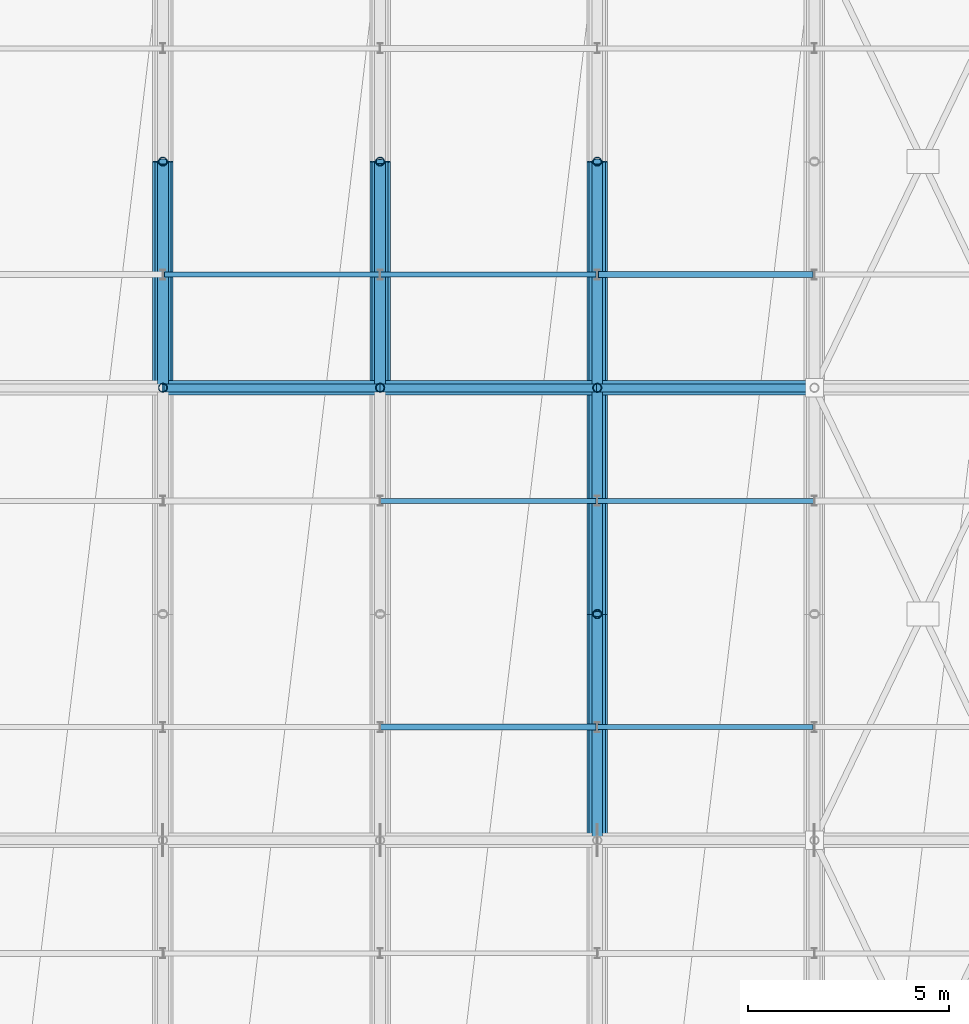
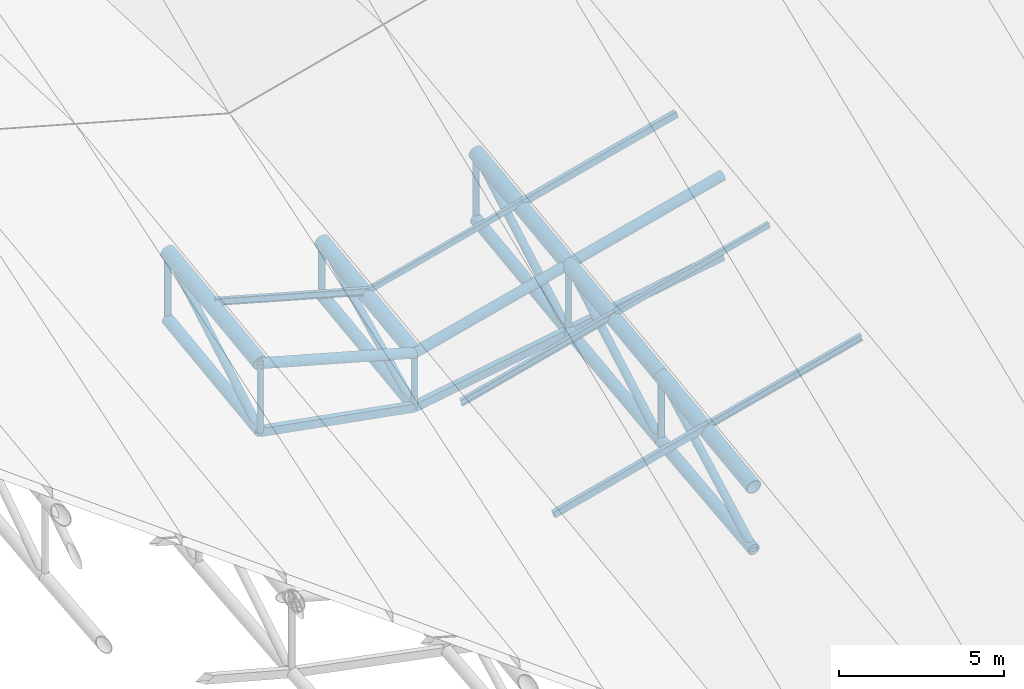
# One storey, part 18 of 109: 25 members, 10 beams.
"""IFC4 building model written with IfcOpenShell, lengths in metres."""

from ifc_helpers import new_model, si_unit, direction, frame, origin, origin_2d, place, context, subcontext, project, spatial, hollow_rectangle, hollow_circle, i_section, extrude, material, material_profile, profile_set, type_object, element, save


model = new_model("IFC4")

# Units and contexts
model_context = context("Model", 3, precision=1e-05, world=origin(), true_north=direction((0.0, 1.0)))
body_context = subcontext(model_context, "Body", "Model", "MODEL_VIEW")
ifc_project = project(units=[si_unit("LENGTHUNIT", "METRE"), si_unit("AREAUNIT", "SQUARE_METRE"), si_unit("VOLUMEUNIT", "CUBIC_METRE"), si_unit("PLANEANGLEUNIT", "RADIAN"), si_unit("MASSUNIT", "GRAM", prefix="KILO")], contexts=[model_context])

# Site, building, storey
site_placement = place(None, origin())
site = spatial("IfcSite", under=ifc_project, at=site_placement, CompositionType="ELEMENT")
building_placement = place(site_placement, origin())
building = spatial("IfcBuilding", under=site, at=building_placement, Name="Suirenkawa Promenade Aquatics Centre", CompositionType="ELEMENT")
storey_placement = place(building_placement, frame((0.0, 0.0, 22.800048828125)))
storey = spatial("IfcBuildingStorey", under=building, at=storey_placement, Name="ROOF", CompositionType="ELEMENT", Elevation=22.800048828125)

# Beams
ifc_material = material(Name="Steel IS 2062 E350 (Grade 350)", Category="steel")
ifc_material_profile_1 = material_profile(ifc_material, hollow_circle(Radius=0.202880859375, WallThickness=0.01806640625, at=origin_2d()), Name="CHS 406x18", Category="steel")
ifc_profile_set_1 = profile_set([ifc_material_profile_1], Name="Steel IS 2062 E350 (Grade 350)")
beam_type_1 = type_object("IfcBeamType", Name="BT-BC-CHS406", PredefinedType="BEAM", material=ifc_profile_set_1)
beam_1_placement = place(storey_placement, frame((84.60009765625, 84.14990234375, -11.6650390625), z_axis=(0.0, 0.991662218835, 0.128864439375), x_axis=(-1.0, 0.0, 0.0)))
element("IfcBeam", 1, at=beam_1_placement, inside=storey, type_object=beam_type_1, Name="ROOF TRUSS V1 bottom chord BC-01 BM-2016", PredefinedType="BEAM", context=body_context, shape_type="SweptSolid", body=[
    extrude(hollow_circle(Radius=0.202880859375, WallThickness=0.01806640625, at=origin_2d()), origin(), (0.0, 0.0, 1.0), 5.67236328125),
])
beam_2_placement = place(storey_placement, frame((90.0, 84.14990234375, -12.64306640625), z_axis=(0.0, 0.991706164536, 0.128525807609), x_axis=(-1.0, 0.0, 0.0)))
element("IfcBeam", 2, at=beam_2_placement, inside=storey, type_object=beam_type_1, Name="ROOF TRUSS V1 bottom chord BC-01 BM-2044", PredefinedType="BEAM", context=body_context, shape_type="SweptSolid", body=[
    extrude(hollow_circle(Radius=0.202880859375, WallThickness=0.01806640625, at=origin_2d()), origin(), (0.0, 0.0, 1.0), 5.672119140625),
])
beam_3_placement = place(storey_placement, frame((95.39990234375, 72.89990234375, -13.01611328125), z_axis=(0.0, 0.994076354112, 0.108683955556), x_axis=(-1.0, 0.0, 0.0)))
element("IfcBeam", 3, at=beam_3_placement, inside=storey, type_object=beam_type_1, Name="ROOF TRUSS V1 bottom chord BC-01 BM-2068", PredefinedType="BEAM", context=body_context, shape_type="SweptSolid", body=[
    extrude(hollow_circle(Radius=0.202880859375, WallThickness=0.01806640625, at=origin_2d()), origin(), (0.0, 0.0, 1.0), 5.658447265625),
])
beam_4_placement = place(storey_placement, frame((95.39990234375, 78.52490234375, -12.401123046875), z_axis=(0.0, 0.992957163719, 0.11847392548), x_axis=(-1.0, 0.0, 0.0)))
element("IfcBeam", 4, at=beam_4_placement, inside=storey, type_object=beam_type_1, Name="ROOF TRUSS V1 bottom chord BC-01 BM-2070", PredefinedType="BEAM", context=body_context, shape_type="SweptSolid", body=[
    extrude(hollow_circle(Radius=0.202880859375, WallThickness=0.01806640625, at=origin_2d()), origin(), (0.0, 0.0, 1.0), 5.664794921875),
])
beam_5_placement = place(storey_placement, frame((95.39990234375, 84.14990234375, -11.72998046875), z_axis=(0.0, 0.991662218835, 0.128864439375), x_axis=(-1.0, 0.0, 0.0)))
element("IfcBeam", 5, at=beam_5_placement, inside=storey, type_object=beam_type_1, Name="ROOF TRUSS V1 bottom chord BC-01 BM-2072", PredefinedType="BEAM", context=body_context, shape_type="SweptSolid", body=[
    extrude(hollow_circle(Radius=0.202880859375, WallThickness=0.01806640625, at=origin_2d()), origin(), (0.0, 0.0, 1.0), 5.67236328125),
])
ifc_material_profile_2 = material_profile(ifc_material, hollow_circle(Radius=0.25390625, WallThickness=0.02392578125, at=origin_2d()), Name="CHS 508x24", Category="steel")
ifc_profile_set_2 = profile_set([ifc_material_profile_2], Name="Steel IS 2062 E350 (Grade 350)")
beam_type_2 = type_object("IfcBeamType", Name="BT-TC-CHS508", PredefinedType="BEAM", material=ifc_profile_set_2)
for number, where, z_axis, x_axis, name in (
    (6, (84.60009765625, 84.14990234375, -9.150146484375), (0.0, 0.991793720609, 0.127848409297), (-1.0, 0.0, 0.0), "ROOF TRUSS V1 top chord TC-02 BM-2015"),
    (7, (90.0, 84.14990234375, -10.650146484375), (0.0, 0.991793720609, 0.127848409297), (-1.0, 0.0, 0.0), "ROOF TRUSS V1 top chord TC-02 BM-2043"),
    (8, (95.39990234375, 72.89990234375, -10.699951171875), (0.0, 0.991799178012, 0.127806065951), (-1.0, 0.0, 0.0), "ROOF TRUSS V1 top chord TC-02 BM-2067"),
    (9, (95.39990234375, 78.52490234375, -9.97509765625), (0.0, 0.991793720609, 0.127848409297), (-1.0, 0.0, 0.0), "ROOF TRUSS V1 top chord TC-02 BM-2069"),
    (10, (95.39990234375, 84.14990234375, -9.25), (0.0, 0.991799178012, 0.127806065951), (-1.0, 0.0, 0.0), "ROOF TRUSS V1 top chord TC-02 BM-2071"),
):
    element("IfcBeam", number, at=place(storey_placement, frame(where, z_axis=z_axis, x_axis=x_axis)), inside=storey, type_object=beam_type_2, Name=name, PredefinedType="BEAM", context=body_context, shape_type="SweptSolid", body=[
        extrude(hollow_circle(Radius=0.25390625, WallThickness=0.02392578125, at=origin_2d()), origin(), (0.0, 0.0, 1.0), 5.671630859375),
    ])

# Members
ifc_material_profile_3 = material_profile(ifc_material, hollow_circle(Radius=0.177978515625, WallThickness=0.01611328125, at=origin_2d()), Name="CHS 356x16", Category="steel")
ifc_profile_set_3 = profile_set([ifc_material_profile_3], Name="Steel IS 2062 E350 (Grade 350)")
member_type_1 = type_object("IfcMemberType", Name="MT-CHORD-CHS356", PredefinedType="CHORD", material=ifc_profile_set_3)
member_1_placement = place(storey_placement, frame((84.60009765625, 84.14990234375, -9.150146484375), z_axis=(0.963516661409, 0.0, -0.267648357342), x_axis=(0.0, 1.0, 0.0)))
element("IfcMember", 11, at=member_1_placement, inside=storey, type_object=member_type_1, Name="ROOF TRUSS V1 tie chord CH-02 MB-0782", PredefinedType="CHORD", context=body_context, shape_type="SweptSolid", body=[
    extrude(hollow_circle(Radius=0.177978515625, WallThickness=0.01611328125, at=origin_2d()), origin(), (0.0, 0.0, 1.0), 5.604248046875),
])
member_2_placement = place(storey_placement, frame((90.0, 84.14990234375, -10.650146484375), z_axis=(0.967989416096, 0.0, 0.250991016426), x_axis=(0.0, 1.0, 0.0)))
element("IfcMember", 12, at=member_2_placement, inside=storey, type_object=member_type_1, Name="ROOF TRUSS V1 tie chord CH-02 MB-0784", PredefinedType="CHORD", context=body_context, shape_type="SweptSolid", body=[
    extrude(hollow_circle(Radius=0.177978515625, WallThickness=0.01611328125, at=origin_2d()), origin(), (0.0, 0.0, 1.0), 5.578369140625),
])
member_3_placement = place(storey_placement, frame((95.39990234375, 84.14990234375, -9.25), z_axis=(0.96800280427, 0.0, 0.250939376992), x_axis=(0.0, 1.0, 0.0)))
element("IfcMember", 13, at=member_3_placement, inside=storey, type_object=member_type_1, Name="ROOF TRUSS V1 tie chord CH-02 MB-0786", PredefinedType="CHORD", context=body_context, shape_type="SweptSolid", body=[
    extrude(hollow_circle(Radius=0.177978515625, WallThickness=0.01611328125, at=origin_2d()), origin(), (0.0, 0.0, 1.0), 5.57861328125),
])
ifc_material_profile_4 = material_profile(ifc_material, hollow_rectangle(XDim=0.199951171875, YDim=0.300048828125, WallThickness=0.011962890625, at=origin_2d()), Name="RHS 300x200x12", Category="steel")
ifc_profile_set_4 = profile_set([ifc_material_profile_4], Name="Steel IS 2062 E350 (Grade 350)")
member_type_2 = type_object("IfcMemberType", Name="MT-CHORD-RHS300", PredefinedType="CHORD", material=ifc_profile_set_4)
member_4_placement = place(storey_placement, frame((84.60009765625, 84.14990234375, -11.6650390625), z_axis=(0.983990692983, 0.0, -0.178219853336), x_axis=(0.0, 1.0, 0.0)))
element("IfcMember", 14, at=member_4_placement, inside=storey, type_object=member_type_2, Name="ROOF TRUSS V1 bottom tie CH-03 MB-0783", PredefinedType="CHORD", context=body_context, shape_type="SweptSolid", body=[
    extrude(hollow_rectangle(XDim=0.199951171875, YDim=0.300048828125, WallThickness=0.011962890625, at=origin_2d()), origin(), (0.0, 0.0, 1.0), 5.48779296875),
])
for number, where, z_axis, x_axis, name in (
    (15, (90.0, 84.14990234375, -12.64306640625), (0.986003217519, 0.0, 0.166726287798), (0.0, 1.0, 0.0), "ROOF TRUSS V1 bottom tie CH-03 MB-0785"),
    (16, (95.39990234375, 84.14990234375, -11.72998046875), (0.986041073491, 0.0, 0.166502256408), (0.0, 1.0, 0.0), "ROOF TRUSS V1 bottom tie CH-03 MB-0787"),
):
    element("IfcMember", number, at=place(storey_placement, frame(where, z_axis=z_axis, x_axis=x_axis)), inside=storey, type_object=member_type_2, Name=name, PredefinedType="CHORD", context=body_context, shape_type="SweptSolid", body=[
        extrude(hollow_rectangle(XDim=0.199951171875, YDim=0.300048828125, WallThickness=0.011962890625, at=origin_2d()), origin(), (0.0, 0.0, 1.0), 5.4765625),
    ])
ifc_material_profile_5 = material_profile(ifc_material, i_section(OverallWidth=0.125, OverallDepth=0.25, WebThickness=0.007080078125, FlangeThickness=0.012939453125, at=origin_2d()), Name="ISMB 250", Category="steel")
ifc_profile_set_5 = profile_set([ifc_material_profile_5], Name="Steel IS 2062 E350 (Grade 350)")
member_type_3 = type_object("IfcMemberType", Name="MT-PURLIN-ISMB250", PredefinedType="PURLIN", material=ifc_profile_set_5)
member_5_placement = place(storey_placement, frame((84.60009765625, 86.962890625, -8.567138671875), z_axis=(0.963516661409, 0.0, -0.267648357342), x_axis=(0.0, 1.0, 0.0)))
element("IfcMember", 17, at=member_5_placement, inside=storey, type_object=member_type_3, Name="ROOF TRUSS Roof purlin PU-04 MB-1953", PredefinedType="PURLIN", context=body_context, shape_type="SweptSolid", body=[
    extrude(i_section(OverallWidth=0.125, OverallDepth=0.25, WebThickness=0.007080078125, FlangeThickness=0.012939453125, at=origin_2d()), origin(), (0.0, 0.0, 1.0), 5.604248046875),
])
for number, where, z_axis, x_axis, name in (
    (18, (90.0, 81.337890625, -10.7919921875), (0.967957510497, 0.0, 0.251114033603), (0.0, 1.0, 0.0), "ROOF TRUSS Roof purlin PU-04 MB-1987"),
    (19, (95.39990234375, 75.712890625, -10.115966796875), (0.96800280427, 0.0, 0.250939376992), (0.0, 1.0, 0.0), "ROOF TRUSS Roof purlin PU-04 MB-2021"),
):
    element("IfcMember", number, at=place(storey_placement, frame(where, z_axis=z_axis, x_axis=x_axis)), inside=storey, type_object=member_type_3, Name=name, PredefinedType="PURLIN", context=body_context, shape_type="SweptSolid", body=[
        extrude(i_section(OverallWidth=0.125, OverallDepth=0.25, WebThickness=0.007080078125, FlangeThickness=0.012939453125, at=origin_2d()), origin(), (0.0, 0.0, 1.0), 5.57861328125),
    ])
ifc_material_profile_6 = material_profile(ifc_material, hollow_rectangle(XDim=0.1201171875, YDim=0.199951171875, WallThickness=0.008056640625, at=origin_2d()), Name="RHS 200x120x8", Category="steel")
ifc_profile_set_6 = profile_set([ifc_material_profile_6], Name="Steel IS 2062 E350 (Grade 350)")
member_type_4 = type_object("IfcMemberType", Name="MT-PURLIN-RHS200", PredefinedType="PURLIN", material=ifc_profile_set_6)
member_6_placement = place(storey_placement, frame((90.0, 86.962890625, -10.041015625), z_axis=(0.968000048288, 0.0, 0.250950007997), x_axis=(0.0, 1.0, 0.0)))
element("IfcMember", 20, at=member_6_placement, inside=storey, type_object=member_type_4, Name="ROOF TRUSS Roof purlin PU-02 MB-1989", PredefinedType="PURLIN", context=body_context, shape_type="SweptSolid", body=[
    extrude(hollow_rectangle(XDim=0.1201171875, YDim=0.199951171875, WallThickness=0.008056640625, at=origin_2d()), origin(), (0.0, 0.0, 1.0), 5.578369140625),
])
member_7_placement = place(storey_placement, frame((95.39990234375, 81.337890625, -9.365966796875), z_axis=(0.96800280427, 0.0, 0.250939376992), x_axis=(0.0, 1.0, 0.0)))
element("IfcMember", 21, at=member_7_placement, inside=storey, type_object=member_type_4, Name="ROOF TRUSS Roof purlin PU-02 MB-2023", PredefinedType="PURLIN", context=body_context, shape_type="SweptSolid", body=[
    extrude(hollow_rectangle(XDim=0.1201171875, YDim=0.199951171875, WallThickness=0.008056640625, at=origin_2d()), origin(), (0.0, 0.0, 1.0), 5.57861328125),
])
ifc_material_profile_7 = material_profile(ifc_material, hollow_rectangle(XDim=0.14990234375, YDim=0.25, WallThickness=0.010009765625, at=origin_2d()), Name="RHS 250x150x10", Category="steel")
ifc_profile_set_7 = profile_set([ifc_material_profile_7], Name="Steel IS 2062 E350 (Grade 350)")
member_type_5 = type_object("IfcMemberType", Name="MT-PURLIN-RHS250", PredefinedType="PURLIN", material=ifc_profile_set_7)
member_8_placement = place(storey_placement, frame((90.0, 75.712890625, -11.51806640625), z_axis=(0.968000048288, 0.0, 0.250950007997), x_axis=(0.0, 1.0, 0.0)))
element("IfcMember", 22, at=member_8_placement, inside=storey, type_object=member_type_5, Name="ROOF TRUSS Roof purlin PU-03 MB-1985", PredefinedType="PURLIN", context=body_context, shape_type="SweptSolid", body=[
    extrude(hollow_rectangle(XDim=0.14990234375, YDim=0.25, WallThickness=0.010009765625, at=origin_2d()), origin(), (0.0, 0.0, 1.0), 5.578369140625),
])
member_9_placement = place(storey_placement, frame((95.39990234375, 86.962890625, -8.66796875), z_axis=(0.96800280427, 0.0, 0.250939376992), x_axis=(0.0, 1.0, 0.0)))
element("IfcMember", 23, at=member_9_placement, inside=storey, type_object=member_type_5, Name="ROOF TRUSS Roof purlin PU-03 MB-2025", PredefinedType="PURLIN", context=body_context, shape_type="SweptSolid", body=[
    extrude(hollow_rectangle(XDim=0.14990234375, YDim=0.25, WallThickness=0.010009765625, at=origin_2d()), origin(), (0.0, 0.0, 1.0), 5.57861328125),
])
ifc_material_profile_8 = material_profile(ifc_material, hollow_circle(Radius=0.110107421875, WallThickness=0.010009765625, at=origin_2d()), Name="CHS 220x10", Category="steel")
ifc_profile_set_8 = profile_set([ifc_material_profile_8], Name="Steel IS 2062 E350 (Grade 350)")
member_type_6 = type_object("IfcMemberType", Name="MT-WEB-CHS220", PredefinedType="BRACE", material=ifc_profile_set_8)
member_10_placement = place(storey_placement, frame((84.60009765625, 84.14990234375, -11.6650390625), z_axis=(0.0, 0.0, 1.0), x_axis=(1.0, 0.0, 0.0)))
element("IfcMember", 24, at=member_10_placement, inside=storey, type_object=member_type_6, Name="ROOF TRUSS V1 web post TD-01 MB-0209", PredefinedType="BRACE", context=body_context, shape_type="SweptSolid", body=[
    extrude(hollow_circle(Radius=0.110107421875, WallThickness=0.010009765625, at=origin_2d()), origin(), (0.0, 0.0, 1.0), 2.514892578125),
])
member_11_placement = place(storey_placement, frame((84.60009765625, 89.77490234375, -10.93408203125), z_axis=(0.0, 0.0, 1.0), x_axis=(1.0, 0.0, 0.0)))
element("IfcMember", 25, at=member_11_placement, inside=storey, type_object=member_type_6, Name="ROOF TRUSS V1 web post TD-01 MB-0210", PredefinedType="BRACE", context=body_context, shape_type="SweptSolid", body=[
    extrude(hollow_circle(Radius=0.110107421875, WallThickness=0.010009765625, at=origin_2d()), origin(), (0.0, 0.0, 1.0), 2.509033203125),
])
member_12_placement = place(storey_placement, frame((90.0, 84.14990234375, -12.64306640625), z_axis=(0.0, 0.0, 1.0), x_axis=(1.0, 0.0, 0.0)))
element("IfcMember", 26, at=member_12_placement, inside=storey, type_object=member_type_6, Name="ROOF TRUSS V1 web post TD-01 MB-0236", PredefinedType="BRACE", context=body_context, shape_type="SweptSolid", body=[
    extrude(hollow_circle(Radius=0.110107421875, WallThickness=0.010009765625, at=origin_2d()), origin(), (0.0, 0.0, 1.0), 1.992919921875),
])
member_13_placement = place(storey_placement, frame((90.0, 89.77490234375, -11.9140625), z_axis=(0.0, 0.0, 1.0), x_axis=(1.0, 0.0, 0.0)))
element("IfcMember", 27, at=member_13_placement, inside=storey, type_object=member_type_6, Name="ROOF TRUSS V1 web post TD-01 MB-0237", PredefinedType="BRACE", context=body_context, shape_type="SweptSolid", body=[
    extrude(hollow_circle(Radius=0.110107421875, WallThickness=0.010009765625, at=origin_2d()), origin(), (0.0, 0.0, 1.0), 1.989013671875),
])
member_14_placement = place(storey_placement, frame((95.39990234375, 78.52490234375, -12.401123046875), z_axis=(0.0, 0.0, 1.0), x_axis=(1.0, 0.0, 0.0)))
element("IfcMember", 28, at=member_14_placement, inside=storey, type_object=member_type_6, Name="ROOF TRUSS V1 web post TD-01 MB-0262", PredefinedType="BRACE", context=body_context, shape_type="SweptSolid", body=[
    extrude(hollow_circle(Radius=0.110107421875, WallThickness=0.010009765625, at=origin_2d()), origin(), (0.0, 0.0, 1.0), 2.426025390625),
])
member_15_placement = place(storey_placement, frame((95.39990234375, 84.14990234375, -11.72998046875), z_axis=(0.0, 0.0, 1.0), x_axis=(1.0, 0.0, 0.0)))
element("IfcMember", 29, at=member_15_placement, inside=storey, type_object=member_type_6, Name="ROOF TRUSS V1 web post TD-01 MB-0263", PredefinedType="BRACE", context=body_context, shape_type="SweptSolid", body=[
    extrude(hollow_circle(Radius=0.110107421875, WallThickness=0.010009765625, at=origin_2d()), origin(), (0.0, 0.0, 1.0), 2.47998046875),
])
member_16_placement = place(storey_placement, frame((95.39990234375, 89.77490234375, -10.9990234375), z_axis=(0.0, 0.0, 1.0), x_axis=(1.0, 0.0, 0.0)))
element("IfcMember", 30, at=member_16_placement, inside=storey, type_object=member_type_6, Name="ROOF TRUSS V1 web post TD-01 MB-0264", PredefinedType="BRACE", context=body_context, shape_type="SweptSolid", body=[
    extrude(hollow_circle(Radius=0.110107421875, WallThickness=0.010009765625, at=origin_2d()), origin(), (0.0, 0.0, 1.0), 2.473876953125),
])
ifc_material_profile_9 = material_profile(ifc_material, hollow_circle(Radius=0.136962890625, WallThickness=0.011962890625, at=origin_2d()), Name="CHS 274x12", Category="steel")
ifc_profile_set_9 = profile_set([ifc_material_profile_9], Name="Steel IS 2062 E350 (Grade 350)")
member_type_7 = type_object("IfcMemberType", Name="MT-WEB-CHS274", PredefinedType="BRACE", material=ifc_profile_set_9)
member_17_placement = place(storey_placement, frame((84.60009765625, 84.14990234375, -11.6650390625), z_axis=(0.0, 0.866532256755, 0.499121075495), x_axis=(-1.0, 0.0, 0.0)))
element("IfcMember", 31, at=member_17_placement, inside=storey, type_object=member_type_7, Name="ROOF TRUSS V1 web diagonal TD-02 MB-0196", PredefinedType="BRACE", context=body_context, shape_type="SweptSolid", body=[
    extrude(hollow_circle(Radius=0.136962890625, WallThickness=0.011962890625, at=origin_2d()), origin(), (0.0, 0.0, 1.0), 6.491455078125),
])
member_18_placement = place(storey_placement, frame((90.0, 84.14990234375, -12.64306640625), z_axis=(0.0, 0.900394882461, 0.435073620939), x_axis=(-1.0, 0.0, 0.0)))
element("IfcMember", 32, at=member_18_placement, inside=storey, type_object=member_type_7, Name="ROOF TRUSS V1 web diagonal TD-02 MB-0223", PredefinedType="BRACE", context=body_context, shape_type="SweptSolid", body=[
    extrude(hollow_circle(Radius=0.136962890625, WallThickness=0.011962890625, at=origin_2d()), origin(), (0.0, 0.0, 1.0), 6.247314453125),
])
member_19_placement = place(storey_placement, frame((95.39990234375, 72.89990234375, -13.01611328125), z_axis=(0.0, 0.879675432152, 0.475574530507), x_axis=(-1.0, 0.0, 0.0)))
element("IfcMember", 33, at=member_19_placement, inside=storey, type_object=member_type_7, Name="ROOF TRUSS V1 web diagonal TD-02 MB-0248", PredefinedType="BRACE", context=body_context, shape_type="SweptSolid", body=[
    extrude(hollow_circle(Radius=0.136962890625, WallThickness=0.011962890625, at=origin_2d()), origin(), (0.0, 0.0, 1.0), 6.394287109375),
])
member_20_placement = place(storey_placement, frame((95.39990234375, 78.52490234375, -12.401123046875), z_axis=(0.0, 0.872431749847, 0.488735963337), x_axis=(-1.0, 0.0, 0.0)))
element("IfcMember", 34, at=member_20_placement, inside=storey, type_object=member_type_7, Name="ROOF TRUSS V1 web diagonal TD-02 MB-0249", PredefinedType="BRACE", context=body_context, shape_type="SweptSolid", body=[
    extrude(hollow_circle(Radius=0.136962890625, WallThickness=0.011962890625, at=origin_2d()), origin(), (0.0, 0.0, 1.0), 6.447509765625),
])
member_21_placement = place(storey_placement, frame((95.39990234375, 84.14990234375, -11.72998046875), z_axis=(0.0, 0.868871355186, 0.49503794616), x_axis=(-1.0, 0.0, 0.0)))
element("IfcMember", 35, at=member_21_placement, inside=storey, type_object=member_type_7, Name="ROOF TRUSS V1 web diagonal TD-02 MB-0250", PredefinedType="BRACE", context=body_context, shape_type="SweptSolid", body=[
    extrude(hollow_circle(Radius=0.136962890625, WallThickness=0.011962890625, at=origin_2d()), origin(), (0.0, 0.0, 1.0), 6.473876953125),
])

save(model, "model.ifc")
